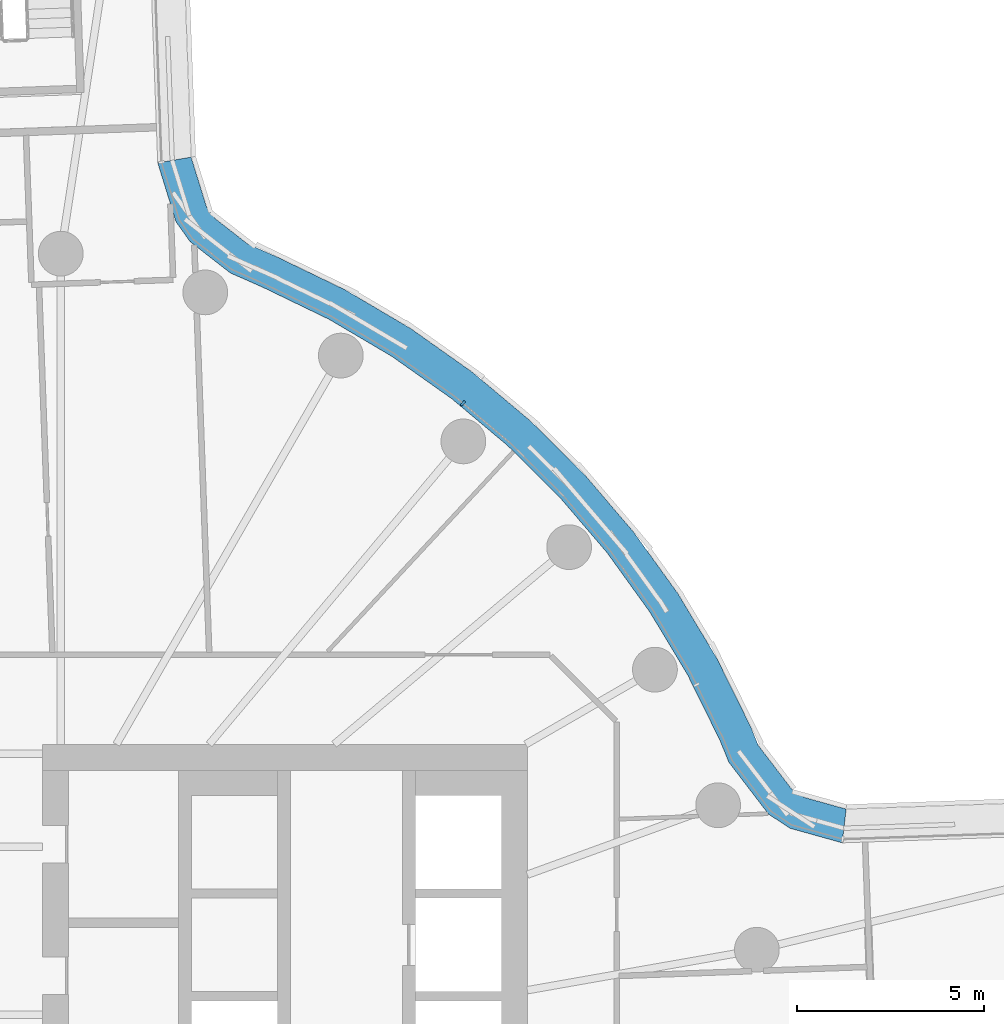
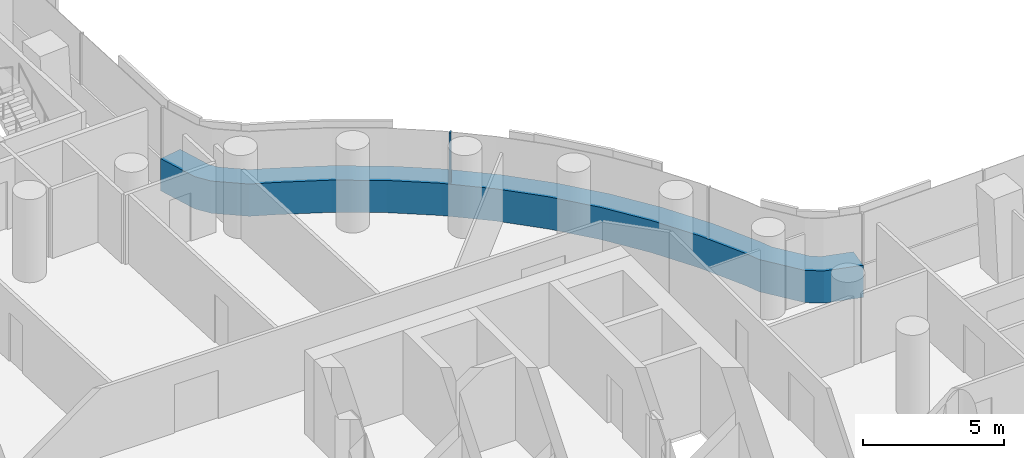
# One storey, part 16 of 31: 2 members, 1 element without a shape of its own.
"""IFC4 building model written with IfcOpenShell, lengths in metres."""

from ifc_helpers import new_model, si_unit, direction, frame, origin, origin_2d, place, context, subcontext, project, spatial, polyline, rectangle, outline, extrude, material, layer, layer_set, material_profile, profile_set, type_object, element, aggregate, save


model = new_model("IFC4")

# Units and contexts
model_context = context("Model", 3, precision=1e-05, world=origin(), true_north=direction((0.0, 1.0)))
body_context = subcontext(model_context, "Body", "Model", "MODEL_VIEW")
ifc_project = project(units=[si_unit("LENGTHUNIT", "METRE"), si_unit("AREAUNIT", "SQUARE_METRE"), si_unit("VOLUMEUNIT", "CUBIC_METRE"), si_unit("PLANEANGLEUNIT", "RADIAN"), si_unit("MASSUNIT", "GRAM", prefix="KILO")], contexts=[model_context])

# Site, building, storey
site_placement = place(None, origin())
site = spatial("IfcSite", under=ifc_project, at=site_placement, CompositionType="ELEMENT")
building_placement = place(site_placement, origin())
building = spatial("IfcBuilding", under=site, at=building_placement, Name="Tamarind Cross Interchange Tower", CompositionType="ELEMENT")
storey_placement = place(building_placement, frame((0.0, 0.0, 41.5)))
storey = spatial("IfcBuildingStorey", under=building, at=storey_placement, Name="L08", CompositionType="ELEMENT", Elevation=41.5)

# Curtain wall, members
ifc_material_1 = material(Name="Aluminium 6063-T6", Category="aluminium")
ifc_layer = layer(ifc_material_1, 0.159912109375)
ifc_layer_set = layer_set([ifc_layer], Name="Aluminium 6063-T6")
curtain_wall_type = type_object("IfcCurtainWallType", Name="Office curtain wall, 9.0 m bays", PredefinedType="NOTDEFINED", material=ifc_layer_set)
curtain_wall_placement = place(storey_placement, origin())
curtain_wall = element("IfcCurtainWall", 1, at=curtain_wall_placement, inside=storey, type_object=curtain_wall_type, Name="CWS-L08-10", PredefinedType="NOTDEFINED")
ifc_material_2 = material(Name="Aluminium and insulated spandrel panel", Category="aluminium")
member_type_1 = type_object("IfcMemberType", Name="Floor-edge blade transom", PredefinedType="USERDEFINED", material=ifc_material_2)
member_1_placement = place(storey_placement, origin())
member_1 = element("IfcMember", 2, at=member_1_placement, type_object=member_type_1, Name="CWT-L08-10", ObjectType="TRANSOM", PredefinedType="USERDEFINED", context=body_context, shape_type="SweptSolid", body=[
    extrude(outline(polyline([(24.9375, 6.85888671875), (23.540283203125, 7.2490234375), (22.962890625, 7.628173828125), (21.8994140625, 9.02001953125), (21.659423828125, 9.6103515625), (20.791015625, 11.367431640625), (19.78125, 13.045654296875), (18.636474609375, 14.634521484375), (17.3642578125, 16.12353515625), (15.973388671875, 17.50244140625), (14.4736328125, 18.76171875), (12.874755859375, 19.892822265625), (11.188232421875, 20.88818359375), (9.41845703125, 21.743896484375), (8.532958984375, 22.1357421875), (7.459228515625, 22.973388671875), (7.081298828125, 23.50537109375), (6.591796875, 25.08544921875), (7.48681640625, 25.23779296875), (7.8984375, 23.9091796875), (8.11669921875, 23.601806640625), (8.998779296875, 22.91357421875), (9.79638671875, 22.560791015625), (11.613525390625, 21.68212890625), (13.3642578125, 20.64892578125), (15.023681640625, 19.474853515625), (16.580810546875, 18.167724609375), (18.0244140625, 16.736572265625), (19.344970703125, 15.19091796875), (20.533203125, 13.54150390625), (21.581298828125, 11.799560546875), (22.480712890625, 9.979736328125), (22.687744140625, 9.470703125), (23.5849609375, 8.29638671875), (23.917236328125, 8.078125), (25.045654296875, 7.762939453125), (24.9375, 6.85888671875)])), origin(), (0.0, 0.0, 1.0), 1.39990234375),
])
ifc_material_profile = material_profile(ifc_material_1, rectangle(XDim=0.06005859375, YDim=0.159912109375, at=origin_2d()), Name="Mullion CW1")
ifc_profile_set = profile_set([ifc_material_profile], Name="Aluminium 6063-T6")
member_type_2 = type_object("IfcMemberType", Name="Mullion CW1", PredefinedType="MULLION", material=ifc_profile_set)
member_2_placement = place(storey_placement, frame((14.7734375, 18.640625, 1.39990234375), z_axis=(0.0, 0.0, 1.0), x_axis=(-0.765858396687, 0.643009266048, 0.0)))
member_2 = element("IfcMember", 3, at=member_2_placement, type_object=member_type_2, Name="CWM-L08-10-02", PredefinedType="MULLION", context=body_context, shape_type="SweptSolid", body=[
    extrude(rectangle(XDim=0.06005859375, YDim=0.159912109375, at=origin_2d()), origin(), (0.0, 0.0, 1.0), 2.210205078125),
])
aggregate(curtain_wall, [member_2, member_1])

save(model, "model.ifc")
